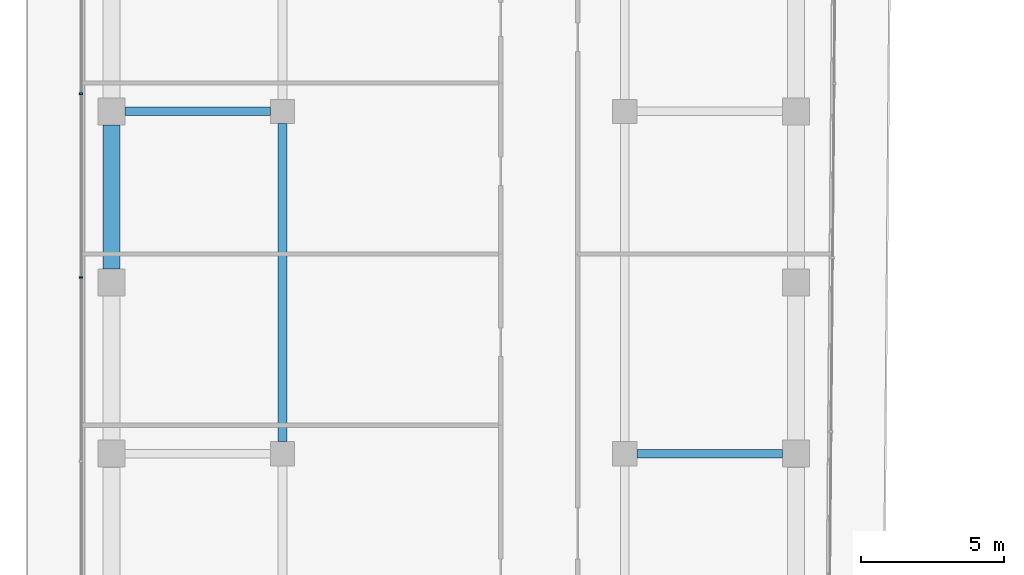
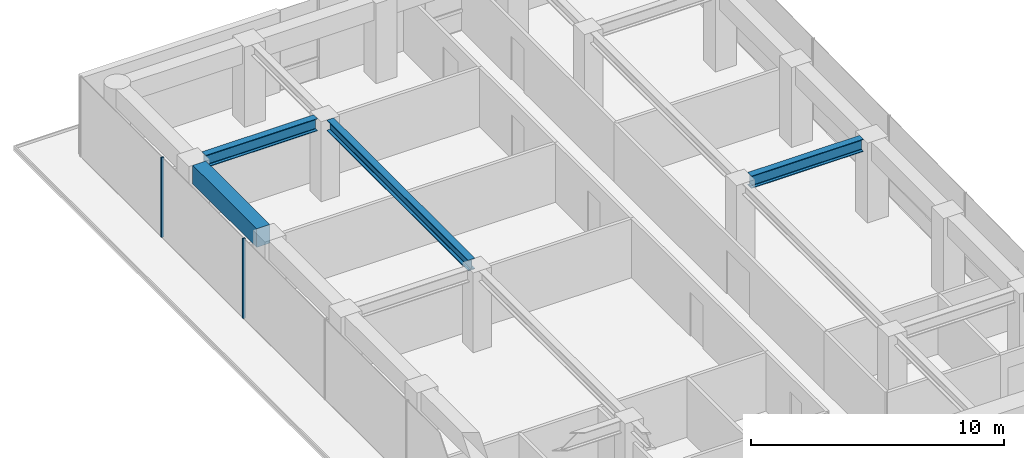
# One storey, part 16 of 29: 4 beams, 2 members, 1 element without a shape of its own.
"""IFC4 building model written with IfcOpenShell, lengths in metres."""

from ifc_helpers import new_model, si_unit, direction, frame, origin, origin_2d, place, context, subcontext, project, spatial, rectangle, i_section, extrude, material, layer, layer_set, material_profile, profile_set, type_object, element, aggregate, save


model = new_model("IFC4")

# Units and contexts
model_context = context("Model", 3, precision=1e-05, world=origin(), true_north=direction((0.0, 1.0)))
body_context = subcontext(model_context, "Body", "Model", "MODEL_VIEW")
ifc_project = project(units=[si_unit("LENGTHUNIT", "METRE"), si_unit("AREAUNIT", "SQUARE_METRE"), si_unit("VOLUMEUNIT", "CUBIC_METRE"), si_unit("PLANEANGLEUNIT", "RADIAN"), si_unit("MASSUNIT", "GRAM", prefix="KILO")], contexts=[model_context])

# Site, building, storey
site_placement = place(None, origin())
site = spatial("IfcSite", under=ifc_project, at=site_placement, CompositionType="ELEMENT")
building_placement = place(site_placement, origin())
building = spatial("IfcBuilding", under=site, at=building_placement, Name="Welwitschia Terrace Campus", CompositionType="ELEMENT")
storey_placement = place(building_placement, frame((0.0, 0.0, 50.0)))
storey = spatial("IfcBuildingStorey", under=building, at=storey_placement, Name="L11", CompositionType="ELEMENT", Elevation=50.0)

# Beam
ifc_material_1 = material(Name="Steel S355", Category="steel")
ifc_material_profile_1 = material_profile(ifc_material_1, i_section(OverallWidth=0.305908203125, OverallDepth=0.52392578125, WebThickness=0.02099609375, FlangeThickness=0.0400390625, FilletRadius=0.027099609375, at=origin_2d()))
ifc_profile_set_1 = profile_set([ifc_material_profile_1], Name="Steel S355")
beam_type_1 = type_object("IfcBeamType", Name="Interior girder HE 500 M", PredefinedType="BEAM", material=ifc_profile_set_1)
beam_1_placement = place(storey_placement, frame((6.0, 44.425537109375, 3.587890625), z_axis=(0.0, 1.0, 0.0), x_axis=(-1.0, 0.0, 0.0)))
element("IfcBeam", 1, at=beam_1_placement, inside=storey, type_object=beam_type_1, Name="Girder GB2", PredefinedType="BEAM", context=body_context, shape_type="SweptSolid", body=[
    extrude(i_section(OverallWidth=0.305908203125, OverallDepth=0.52392578125, WebThickness=0.02099609375, FlangeThickness=0.0400390625, FilletRadius=0.027099609375, at=origin_2d()), origin(), (0.0, 0.0, 1.0), 11.14892578125),
])

# Curtain wall, members
ifc_material_2 = material(Name="Bronze anodised aluminium", Category="aluminium")
ifc_layer = layer(ifc_material_2, 0.1201171875)
ifc_layer_set = layer_set([ifc_layer], Name="Bronze anodised aluminium")
curtain_wall_type = type_object("IfcCurtainWallType", Name="Curtain wall CW2 tower 6000", PredefinedType="NOTDEFINED", material=ifc_layer_set)
curtain_wall_placement = place(storey_placement, origin())
curtain_wall = element("IfcCurtainWall", 2, at=curtain_wall_placement, inside=storey, type_object=curtain_wall_type, Name="CW L11.10.0", PredefinedType="NOTDEFINED")
ifc_material_3 = material(Name="Bronze anodised aluminium", Category="aluminium")
ifc_material_profile_2 = material_profile(ifc_material_3, rectangle(XDim=0.1201171875, YDim=0.06005859375, at=origin_2d()))
ifc_profile_set_2 = profile_set([ifc_material_profile_2], Name="Bronze anodised aluminium")
member_type = type_object("IfcMemberType", Name="Mullion 60x120", PredefinedType="MULLION", material=ifc_profile_set_2)
member_1_placement = place(storey_placement, frame((-1.05810546875, 56.616455078125, 0.0), z_axis=(0.0, 0.0, 1.0), x_axis=(1.0, 0.0, 0.0)))
member_1 = element("IfcMember", 3, at=member_1_placement, type_object=member_type, Name="Mullion L11.10.0.1", PredefinedType="MULLION", context=body_context, shape_type="SweptSolid", body=[
    extrude(rectangle(XDim=0.1201171875, YDim=0.06005859375, at=origin_2d()), origin(), (0.0, 0.0, 1.0), 3.85009765625),
])
member_2_placement = place(storey_placement, frame((-1.05810546875, 50.1748046875, 0.0), z_axis=(0.0, 0.0, 1.0), x_axis=(1.0, 0.0, 0.0)))
member_2 = element("IfcMember", 4, at=member_2_placement, type_object=member_type, Name="Mullion L11.10.0.2", PredefinedType="MULLION", context=body_context, shape_type="SweptSolid", body=[
    extrude(rectangle(XDim=0.1201171875, YDim=0.06005859375, at=origin_2d()), origin(), (0.0, 0.0, 1.0), 3.85009765625),
])
aggregate(curtain_wall, [member_1, member_2])

# Beams
ifc_material_4 = material(Name="Steel S355", Category="steel")
ifc_material_profile_3 = material_profile(ifc_material_4, i_section(OverallWidth=0.300048828125, OverallDepth=0.60009765625, WebThickness=0.015380859375, FlangeThickness=0.030029296875, FilletRadius=0.027099609375, at=origin_2d()))
ifc_profile_set_3 = profile_set([ifc_material_profile_3], Name="Steel S355")
beam_type_2 = type_object("IfcBeamType", Name="Primary beam HE 600 B", PredefinedType="BEAM", material=ifc_profile_set_3)
for number, where, z_axis, x_axis, name in (
    (5, (23.5244140625, 44.0, 3.550048828125), (-1.0, 0.0, 0.0), (0.0, -1.0, 0.0), "Primary beam PB2"),
    (6, (0.4755859375, 56.0, 3.550048828125), (1.0, 0.0, 0.0), (0.0, 1.0, 0.0), "Primary beam PB2"),
):
    element("IfcBeam", number, at=place(storey_placement, frame(where, z_axis=z_axis, x_axis=x_axis)), inside=storey, type_object=beam_type_2, Name=name, PredefinedType="BEAM", context=body_context, shape_type="SweptSolid", body=[
        extrude(i_section(OverallWidth=0.300048828125, OverallDepth=0.60009765625, WebThickness=0.015380859375, FlangeThickness=0.030029296875, FilletRadius=0.027099609375, at=origin_2d()), origin(), (0.0, 0.0, 1.0), 5.098876953125),
    ])
ifc_material_5 = material(Name="Concrete C60/75", Category="concrete")
ifc_material_profile_4 = material_profile(ifc_material_5, rectangle(XDim=0.60009765625, YDim=0.89990234375, at=origin_2d()))
ifc_profile_set_4 = profile_set([ifc_material_profile_4], Name="Concrete C60/75")
beam_type_3 = type_object("IfcBeamType", Name="Ring spandrel 600x900", PredefinedType="SPANDREL", material=ifc_profile_set_4)
beam_2_placement = place(storey_placement, frame((0.0, 55.5244140625, 3.39990234375), z_axis=(0.0, -1.0, 0.0), x_axis=(1.0, 0.0, 0.0)))
element("IfcBeam", 7, at=beam_2_placement, inside=storey, type_object=beam_type_3, Name="Spandrel SP2", PredefinedType="SPANDREL", context=body_context, shape_type="SweptSolid", body=[
    extrude(rectangle(XDim=0.60009765625, YDim=0.89990234375, at=origin_2d()), origin(), (0.0, 0.0, 1.0), 5.048828125),
])

save(model, "model.ifc")
